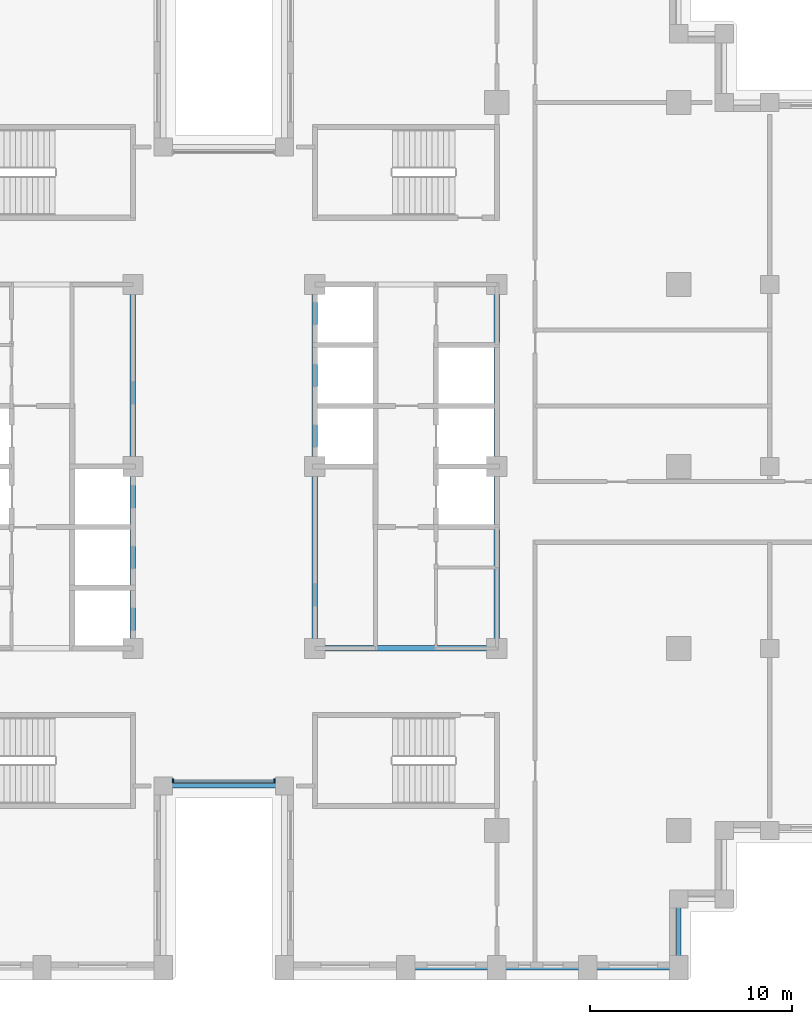
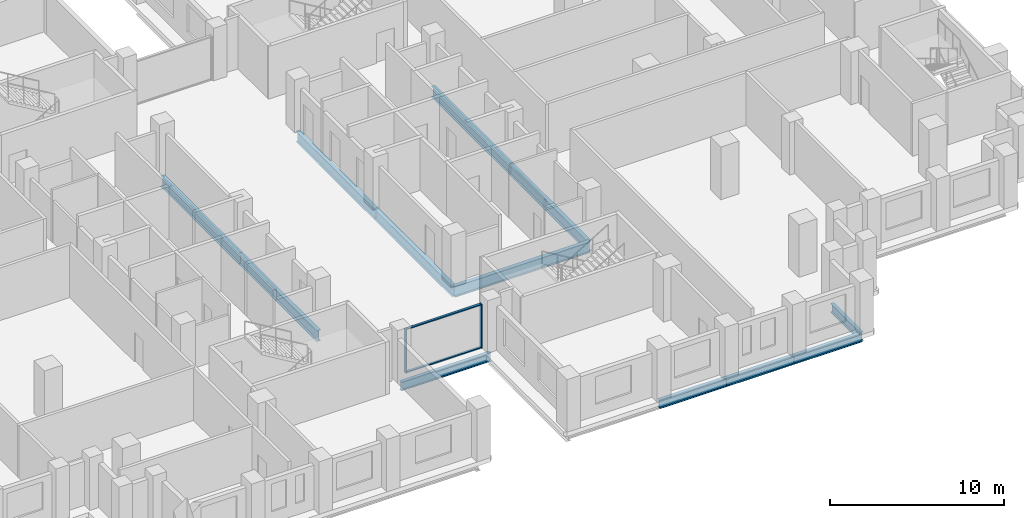
# One storey, part 2 of 15: 12 beams, 4 members, 1 element without a shape of its own.
"""IFC4 building model written with IfcOpenShell, lengths in metres."""

from ifc_helpers import new_model, si_unit, direction, frame, origin, origin_2d, place, context, subcontext, project, spatial, rectangle, i_section, extrude, material, layer, layer_set, material_profile, profile_set, type_object, element, aggregate, save


model = new_model("IFC4")

# Units and contexts
model_context = context("Model", 3, precision=1e-05, world=origin(), true_north=direction((0.0, 1.0)))
body_context = subcontext(model_context, "Body", "Model", "MODEL_VIEW")
ifc_project = project(units=[si_unit("LENGTHUNIT", "METRE"), si_unit("AREAUNIT", "SQUARE_METRE"), si_unit("VOLUMEUNIT", "CUBIC_METRE"), si_unit("PLANEANGLEUNIT", "RADIAN"), si_unit("MASSUNIT", "GRAM", prefix="KILO")], contexts=[model_context])

# Site, building, storey
site_placement = place(None, origin())
site = spatial("IfcSite", under=ifc_project, at=site_placement, CompositionType="ELEMENT")
building_placement = place(site_placement, origin())
building = spatial("IfcBuilding", under=site, at=building_placement, Name="Corbelhall Arena Tower", CompositionType="ELEMENT")
storey_placement = place(building_placement, frame((0.0, 0.0, 88.0)))
storey = spatial("IfcBuildingStorey", under=building, at=storey_placement, Name="L14", CompositionType="ELEMENT", Elevation=88.0)

# Curtain wall, members
ifc_material_1 = material(Name="Aluminium black anodised", Category="aluminium")
ifc_layer = layer(ifc_material_1, 0.199951171875)
ifc_layer_set = layer_set([ifc_layer], Name="EV-CW1 Slot back wall")
curtain_wall_type = type_object("IfcCurtainWallType", Name="EV-CW1 Slot back wall", PredefinedType="NOTDEFINED", material=ifc_layer_set)
curtain_wall_placement = place(storey_placement, origin())
curtain_wall = element("IfcCurtainWall", 1, at=curtain_wall_placement, inside=storey, type_object=curtain_wall_type, Name="Curtain wall CW1", PredefinedType="NOTDEFINED")
ifc_material_profile_1 = material_profile(ifc_material_1, rectangle(XDim=0.199951171875, YDim=0.074951171875, at=origin_2d()))
ifc_profile_set_1 = profile_set([ifc_material_profile_1], Name="Aluminium black anodised")
member_type_1 = type_object("IfcMemberType", Name="EV-CW1-MULLION", PredefinedType="MULLION", material=ifc_profile_set_1)
member_1_placement = place(storey_placement, frame((-2.512451171875, -15.550048828125, 0.0), z_axis=(0.0, 0.0, 1.0), x_axis=(0.0, 1.0, 0.0)))
member_1 = element("IfcMember", 2, at=member_1_placement, type_object=member_type_1, Name="CW1 mullion 1", PredefinedType="MULLION", context=body_context, shape_type="SweptSolid", body=[
    extrude(rectangle(XDim=0.199951171875, YDim=0.074951171875, at=origin_2d()), origin(), (0.0, 0.0, 1.0), 3.10009765625),
])
member_2_placement = place(storey_placement, frame((2.512451171875, -15.550048828125, 0.0), z_axis=(0.0, 0.0, 1.0), x_axis=(0.0, 1.0, 0.0)))
member_2 = element("IfcMember", 3, at=member_2_placement, type_object=member_type_1, Name="CW1 mullion 2", PredefinedType="MULLION", context=body_context, shape_type="SweptSolid", body=[
    extrude(rectangle(XDim=0.199951171875, YDim=0.074951171875, at=origin_2d()), origin(), (0.0, 0.0, 1.0), 3.10009765625),
])
ifc_material_profile_2 = material_profile(ifc_material_1, rectangle(XDim=0.14990234375, YDim=0.074951171875, at=origin_2d()))
ifc_profile_set_2 = profile_set([ifc_material_profile_2], Name="Aluminium black anodised")
member_type_2 = type_object("IfcMemberType", Name="EV-CW1-TRANSOM", PredefinedType="USERDEFINED", material=ifc_profile_set_2)
member_3_placement = place(storey_placement, frame((-2.47509765625, -15.550048828125, 0.03759765625), z_axis=(1.0, 0.0, 0.0), x_axis=(0.0, 1.0, 0.0)))
member_3 = element("IfcMember", 4, at=member_3_placement, type_object=member_type_2, Name="CW1 transom 1.1", ObjectType="transom", PredefinedType="USERDEFINED", context=body_context, shape_type="SweptSolid", body=[
    extrude(rectangle(XDim=0.14990234375, YDim=0.074951171875, at=origin_2d()), origin(), (0.0, 0.0, 1.0), 4.9501953125),
])
member_4_placement = place(storey_placement, frame((-2.47509765625, -15.550048828125, 3.0625), z_axis=(1.0, 0.0, 0.0), x_axis=(0.0, 1.0, 0.0)))
member_4 = element("IfcMember", 5, at=member_4_placement, type_object=member_type_2, Name="CW1 transom 1.2", ObjectType="transom", PredefinedType="USERDEFINED", context=body_context, shape_type="SweptSolid", body=[
    extrude(rectangle(XDim=0.14990234375, YDim=0.074951171875, at=origin_2d()), origin(), (0.0, 0.0, 1.0), 4.9501953125),
])
aggregate(curtain_wall, [member_1, member_2, member_3, member_4])

# Beams
ifc_material_2 = material(Name="Steel ASTM A992 Gr50", Category="steel")
ifc_material_profile_3 = material_profile(ifc_material_2, i_section(OverallWidth=0.2666015625, OverallDepth=0.761962890625, WebThickness=0.014404296875, FlangeThickness=0.021484375, at=origin_2d()))
ifc_profile_set_3 = profile_set([ifc_material_profile_3], Name="Steel ASTM A992 Gr50")
beam_type_1 = type_object("IfcBeamType", Name="ST-BEAM-W30x116", PredefinedType="BEAM", material=ifc_profile_set_3)
for number, where, z_axis, x_axis, name in (
    (6, (-4.5, -9.0, -0.680908203125), (0.0, 1.0, 0.0), (-1.0, 0.0, 0.0), "Beam CEW 3"),
    (7, (-4.5, 0.0, -0.680908203125), (0.0, 1.0, 0.0), (-1.0, 0.0, 0.0), "Beam CEW 4"),
    (8, (4.5, -9.0, -0.680908203125), (0.0, 1.0, 0.0), (-1.0, 0.0, 0.0), "Beam CEE 7"),
    (9, (4.5, 0.0, -0.680908203125), (0.0, 1.0, 0.0), (-1.0, 0.0, 0.0), "Beam CEE 8"),
    (10, (13.5, -9.0, -0.680908203125), (0.0, 1.0, 0.0), (-1.0, 0.0, 0.0), "Beam CEE 9"),
    (11, (13.5, 0.0, -0.680908203125), (0.0, 1.0, 0.0), (-1.0, 0.0, 0.0), "Beam CEE 10"),
    (12, (4.5, -9.0, -0.680908203125), (1.0, 0.0, 0.0), (0.0, 1.0, 0.0), "Beam CEE 11"),
):
    element("IfcBeam", number, at=place(storey_placement, frame(where, z_axis=z_axis, x_axis=x_axis)), inside=storey, type_object=beam_type_1, Name=name, PredefinedType="BEAM", context=body_context, shape_type="SweptSolid", body=[
        extrude(i_section(OverallWidth=0.2666015625, OverallDepth=0.761962890625, WebThickness=0.014404296875, FlangeThickness=0.021484375, at=origin_2d()), origin(), (0.0, 0.0, 1.0), 9.0),
    ])
ifc_material_profile_4 = material_profile(ifc_material_2, i_section(OverallWidth=0.23046875, OverallDepth=0.6171875, WebThickness=0.01318359375, FlangeThickness=0.022216796875, at=origin_2d()))
ifc_profile_set_4 = profile_set([ifc_material_profile_4], Name="Steel ASTM A992 Gr50")
beam_type_2 = type_object("IfcBeamType", Name="ST-SPANDREL-W24x94", PredefinedType="SPANDREL", material=ifc_profile_set_4)
for number, where, z_axis, x_axis, name in (
    (13, (13.5, -24.800048828125, -0.608642578125), (-1.0, 0.0, 0.0), (0.0, -1.0, 0.0), "Beam SP 29"),
    (14, (18.0, -24.800048828125, -0.608642578125), (-1.0, 0.0, 0.0), (0.0, -1.0, 0.0), "Beam SP 30"),
    (15, (22.5, -24.800048828125, -0.608642578125), (-1.0, 0.0, 0.0), (0.0, -1.0, 0.0), "Beam SP 31"),
):
    element("IfcBeam", number, at=place(storey_placement, frame(where, z_axis=z_axis, x_axis=x_axis)), inside=storey, type_object=beam_type_2, Name=name, PredefinedType="SPANDREL", context=body_context, shape_type="SweptSolid", body=[
        extrude(i_section(OverallWidth=0.23046875, OverallDepth=0.6171875, WebThickness=0.01318359375, FlangeThickness=0.022216796875, at=origin_2d()), origin(), (0.0, 0.0, 1.0), 4.5),
    ])
beam_1_placement = place(storey_placement, frame((3.0, -15.800048828125, -0.608642578125), z_axis=(-1.0, 0.0, 0.0), x_axis=(0.0, -1.0, 0.0)))
element("IfcBeam", 16, at=beam_1_placement, inside=storey, type_object=beam_type_2, Name="Beam SP 41", PredefinedType="SPANDREL", context=body_context, shape_type="SweptSolid", body=[
    extrude(i_section(OverallWidth=0.23046875, OverallDepth=0.6171875, WebThickness=0.01318359375, FlangeThickness=0.022216796875, at=origin_2d()), origin(), (0.0, 0.0, 1.0), 6.0),
])
beam_2_placement = place(storey_placement, frame((22.5, -21.39990234375, -0.608642578125), z_axis=(0.0, -1.0, 0.0), x_axis=(1.0, 0.0, 0.0)))
element("IfcBeam", 17, at=beam_2_placement, inside=storey, type_object=beam_type_2, Name="Beam SP 49", PredefinedType="SPANDREL", context=body_context, shape_type="SweptSolid", body=[
    extrude(i_section(OverallWidth=0.23046875, OverallDepth=0.6171875, WebThickness=0.01318359375, FlangeThickness=0.022216796875, at=origin_2d()), origin(), (0.0, 0.0, 1.0), 3.400146484375),
])

save(model, "model.ifc")
